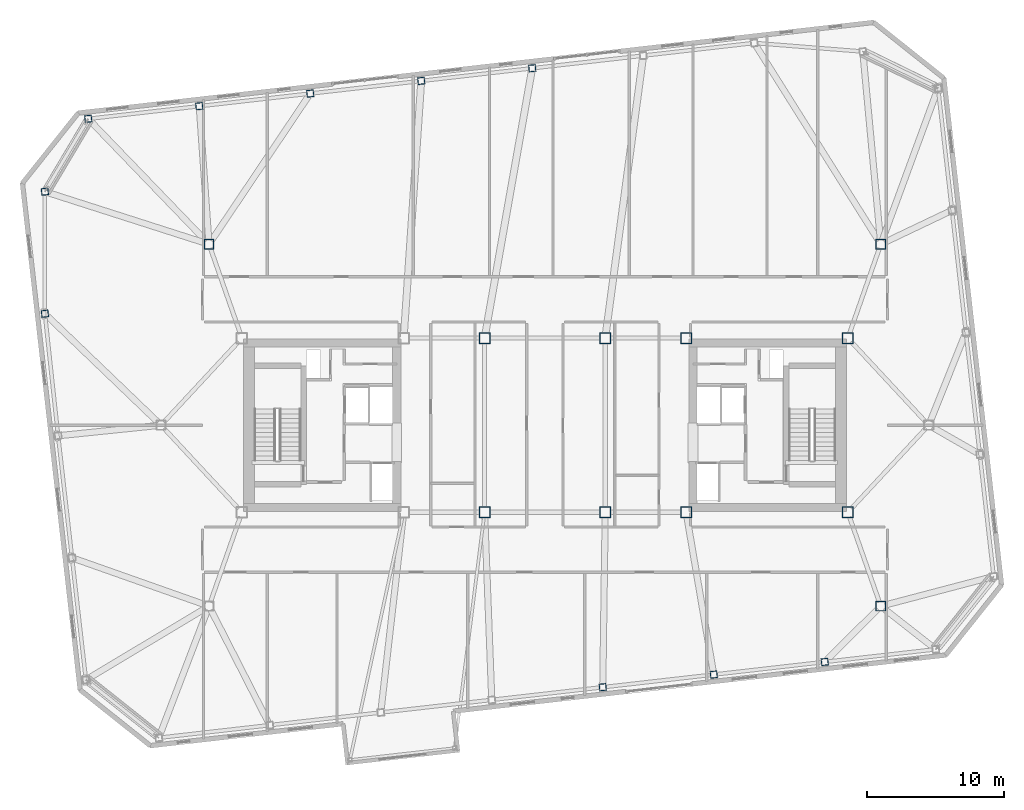
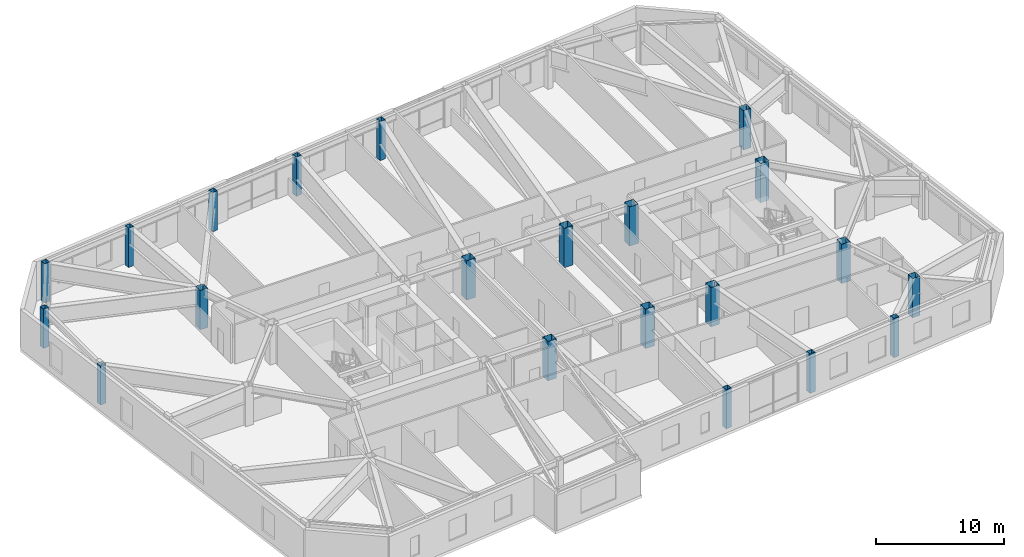
# One storey, part 2 of 18: 21 columns.
"""IFC4 building model written with IfcOpenShell, lengths in metres."""

from ifc_helpers import new_model, si_unit, direction, frame, origin, origin_2d, place, context, subcontext, project, spatial, hollow_rectangle, extrude, material, material_profile, profile_set, type_object, element, save


model = new_model("IFC4")

# Units and contexts
model_context = context("Model", 3, precision=1e-05, world=origin(), true_north=direction((0.0, 1.0)))
body_context = subcontext(model_context, "Body", "Model", "MODEL_VIEW")
ifc_project = project(units=[si_unit("LENGTHUNIT", "METRE"), si_unit("AREAUNIT", "SQUARE_METRE"), si_unit("VOLUMEUNIT", "CUBIC_METRE"), si_unit("PLANEANGLEUNIT", "RADIAN"), si_unit("MASSUNIT", "GRAM", prefix="KILO")], contexts=[model_context])

# Site, building, storey
site_placement = place(None, origin())
site = spatial("IfcSite", under=ifc_project, at=site_placement, CompositionType="ELEMENT")
building_placement = place(site_placement, origin())
building = spatial("IfcBuilding", under=site, at=building_placement, Name="Tavrogorsk Clinical Tower", CompositionType="ELEMENT")
storey_placement = place(building_placement, frame((0.0, 0.0, 226.199951171875)))
storey = spatial("IfcBuildingStorey", under=building, at=storey_placement, Name="L52", CompositionType="ELEMENT", Elevation=226.199951171875)

# Columns
ifc_material_1 = material(Name="Structural steel S440", Category="steel")
ifc_material_profile_1 = material_profile(ifc_material_1, hollow_rectangle(XDim=0.699951171875, YDim=0.699951171875, WallThickness=0.031982421875, at=origin_2d()), Name="BOX-700x700x32")
ifc_profile_set_1 = profile_set([ifc_material_profile_1], Name="Structural steel S440")
column_type_1 = type_object("IfcColumnType", Name="MegaCol_BOX700", PredefinedType="COLUMN", material=ifc_profile_set_1)
for number, where, z_axis, x_axis, name in (
    (1, (24.5, -13.199951171875, 0.0), (0.0, 0.0, 1.0), (1.0, 0.0, 0.0), "L52 Spine Pilotis Column MC-P2"),
    (2, (-24.5, 13.199951171875, 0.0), (0.0, 0.0, 1.0), (1.0, 0.0, 0.0), "L52 Spine Pilotis Column MC-P3"),
    (3, (24.5, 13.199951171875, 0.0), (0.0, 0.0, 1.0), (1.0, 0.0, 0.0), "L52 Spine Pilotis Column MC-P4"),
):
    element("IfcColumn", number, at=place(storey_placement, frame(where, z_axis=z_axis, x_axis=x_axis)), inside=storey, type_object=column_type_1, Name=name, PredefinedType="COLUMN", context=body_context, shape_type="SweptSolid", body=[
        extrude(hollow_rectangle(XDim=0.699951171875, YDim=0.699951171875, WallThickness=0.031982421875, at=origin_2d()), origin(), (0.0, 0.0, 1.0), 3.739990234375),
    ])
ifc_material_2 = material(Name="Structural steel S440", Category="steel")
ifc_material_profile_2 = material_profile(ifc_material_2, hollow_rectangle(XDim=0.800048828125, YDim=0.800048828125, WallThickness=0.035888671875, at=origin_2d()), Name="BOX-800x800x36")
ifc_profile_set_2 = profile_set([ifc_material_profile_2], Name="Structural steel S440")
column_type_2 = type_object("IfcColumnType", Name="MegaCol_BOX800", PredefinedType="COLUMN", material=ifc_profile_set_2)
for number, where, z_axis, x_axis, name in (
    (4, (10.300048828125, -6.35009765625, 0.0), (0.0, 0.0, 1.0), (1.0, 0.0, 0.0), "L52 Mega Column MC-E1"),
    (5, (10.300048828125, 6.35009765625, 0.0), (0.0, 0.0, 1.0), (1.0, 0.0, 0.0), "L52 Mega Column MC-E2"),
    (6, (22.10009765625, -6.35009765625, 0.0), (0.0, 0.0, 1.0), (1.0, 0.0, 0.0), "L52 Mega Column MC-E3"),
    (7, (22.10009765625, 6.35009765625, 0.0), (0.0, 0.0, 1.0), (1.0, 0.0, 0.0), "L52 Mega Column MC-E4"),
    (8, (-4.39990234375, -6.35009765625, 0.0), (0.0, 0.0, 1.0), (1.0, 0.0, 0.0), "L52 Mega Column MC-C1"),
    (9, (4.39990234375, -6.35009765625, 0.0), (0.0, 0.0, 1.0), (1.0, 0.0, 0.0), "L52 Mega Column MC-C2"),
    (10, (-4.39990234375, 6.35009765625, 0.0), (0.0, 0.0, 1.0), (1.0, 0.0, 0.0), "L52 Mega Column MC-C3"),
    (11, (4.39990234375, 6.35009765625, 0.0), (0.0, 0.0, 1.0), (1.0, 0.0, 0.0), "L52 Mega Column MC-C4"),
):
    element("IfcColumn", number, at=place(storey_placement, frame(where, z_axis=z_axis, x_axis=x_axis)), inside=storey, type_object=column_type_2, Name=name, PredefinedType="COLUMN", context=body_context, shape_type="SweptSolid", body=[
        extrude(hollow_rectangle(XDim=0.800048828125, YDim=0.800048828125, WallThickness=0.035888671875, at=origin_2d()), origin(), (0.0, 0.0, 1.0), 3.739990234375),
    ])
ifc_material_3 = material(Name="Structural steel S440", Category="steel")
ifc_material_profile_3 = material_profile(ifc_material_3, hollow_rectangle(XDim=0.5, YDim=0.5, WallThickness=0.02490234375, at=origin_2d()), Name="BOX-500x500x25")
ifc_profile_set_3 = profile_set([ifc_material_profile_3], Name="Structural steel S440")
column_type_3 = type_object("IfcColumnType", Name="PerimCol_B4_BOX500", PredefinedType="COLUMN", material=ifc_profile_set_3)
for number, where, z_axis, x_axis, name in (
    (12, (4.22021484375, -19.11279296875, 0.0), (0.0, 0.0, 1.0), (0.993571855677, 0.113203213768, 0.0), "L52 Perimeter Column S5"),
    (13, (12.31640625, -18.190185546875, 0.0), (0.0, 0.0, 1.0), (0.993571855677, 0.113203213768, 0.0), "L52 Perimeter Column S6"),
    (14, (20.412353515625, -17.267822265625, 0.0), (0.0, 0.0, 1.0), (0.993571855677, 0.113203213768, 0.0), "L52 Perimeter Column S7"),
    (15, (-0.923828125, 26.03515625, 0.0), (0.0, 0.0, 1.0), (0.993571855677, 0.113203213768, 0.0), "L52 Perimeter Column N4"),
    (16, (-9.02001953125, 25.11279296875, 0.0), (0.0, 0.0, 1.0), (0.993571855677, 0.113203213768, 0.0), "L52 Perimeter Column N5"),
    (17, (-17.1162109375, 24.190185546875, 0.0), (0.0, 0.0, 1.0), (0.993571855677, 0.113203213768, 0.0), "L52 Perimeter Column N6"),
    (18, (-25.21240234375, 23.267822265625, 0.0), (0.0, 0.0, 1.0), (0.993571855677, 0.113203213768, 0.0), "L52 Perimeter Column N7"),
    (19, (-33.30859375, 22.345458984375, 0.0), (0.0, 0.0, 1.0), (0.993571855677, 0.113203213768, 0.0), "L52 Perimeter Column N8"),
    (20, (-36.469970703125, 17.032958984375, 0.0), (0.0, 0.0, 1.0), (0.993571855677, 0.113203213768, 0.0), "L52 Perimeter Column W1"),
    (21, (-36.469970703125, 8.130615234375, 0.0), (0.0, 0.0, 1.0), (0.993571855677, 0.113203213768, 0.0), "L52 Perimeter Column W2"),
):
    element("IfcColumn", number, at=place(storey_placement, frame(where, z_axis=z_axis, x_axis=x_axis)), inside=storey, type_object=column_type_3, Name=name, PredefinedType="COLUMN", context=body_context, shape_type="SweptSolid", body=[
        extrude(hollow_rectangle(XDim=0.5, YDim=0.5, WallThickness=0.02490234375, at=origin_2d()), origin(), (0.0, 0.0, 1.0), 3.739990234375),
    ])

save(model, "model.ifc")
